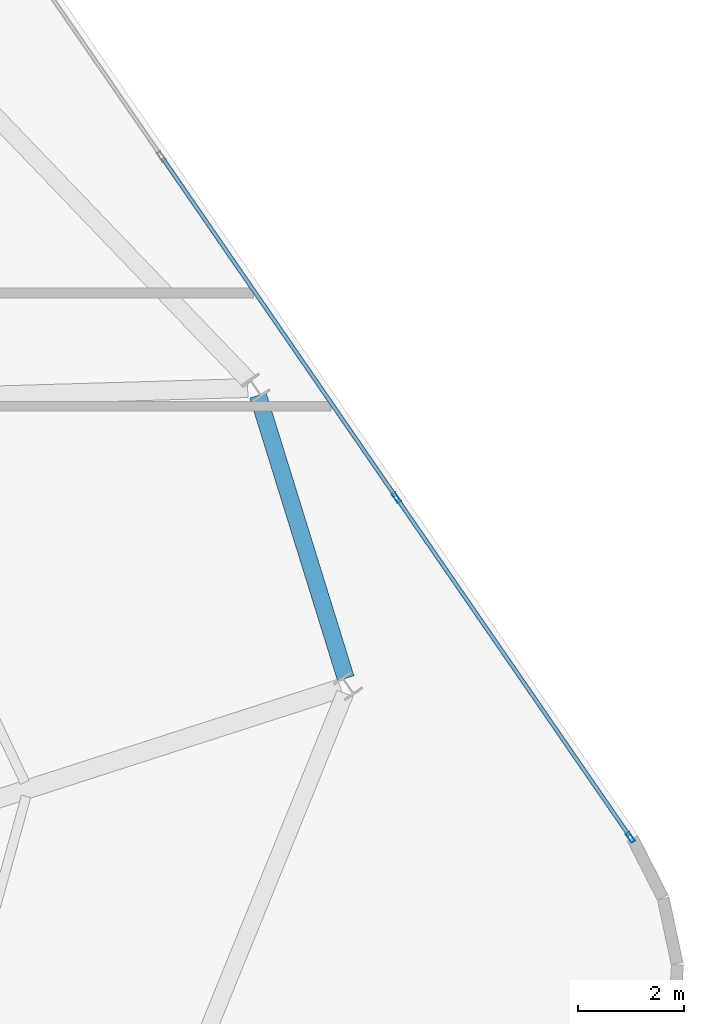
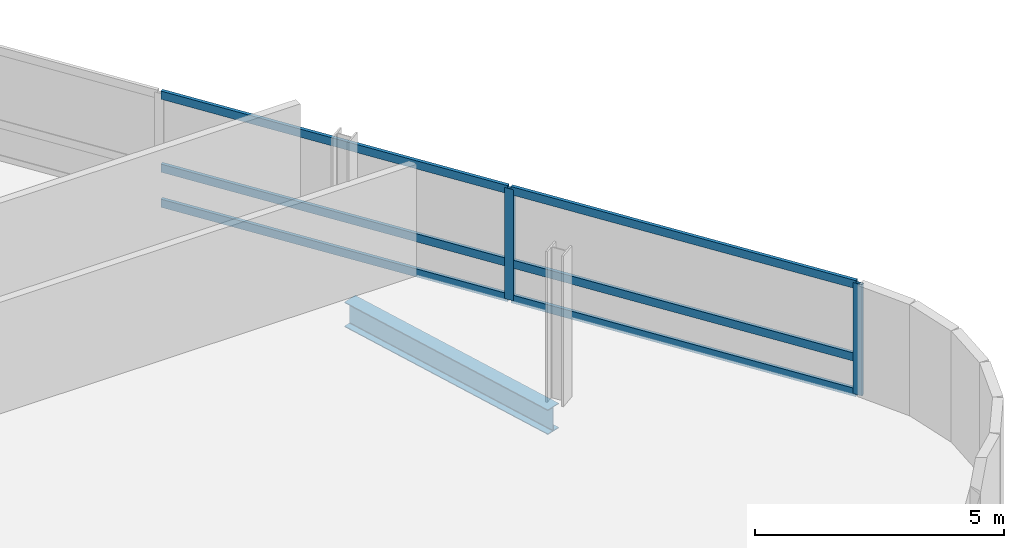
# One storey, part 11 of 22: 8 members, 1 beam, 1 element without a shape of its own.
"""IFC4 building model written with IfcOpenShell, lengths in metres."""

import ifcopenshell
import ifcopenshell.guid

model = None  # the IFC model being written
_history = None  # IfcOwnerHistory: only IFC2X3 demands one
_inside = {}  # id of a spatial element -> (the spatial element, [elements in it])
_under = {}  # id of a project, library or spatial element -> (it, [spatial elements below it])
_declared = {}  # id of a project -> (the project, [libraries it declares])
_typed = {}  # id of a type object -> (the type object, [elements of that type])
_made_of = {}  # id of a material, layer set ... -> (it, [elements and type objects made of it])


def new_model(schema):
    """Start an empty IFC model of exactly this schema.

    Asked for "IFC4X3", IfcOpenShell would pick the latest addendum, in which some entities
    have other attributes; the version numbers below select the first issue.
    IFC2X3 requires an IfcOwnerHistory on every rooted entity: one is made here for all.
    """
    global model, _history
    if schema == "IFC4X3":
        model = ifcopenshell.file(schema_version=(4, 3, 0, 0))
    else:
        model = ifcopenshell.file(schema=schema)
    _inside.clear()
    _under.clear()
    _declared.clear()
    _typed.clear()
    _made_of.clear()
    _history = None
    if model.schema == "IFC2X3":
        org = make("IfcOrganization", Name="unknown")
        user = make(
            "IfcPersonAndOrganization",
            ThePerson=make("IfcPerson", FamilyName="unknown"),
            TheOrganization=org,
        )
        app = make(
            "IfcApplication",
            ApplicationDeveloper=org,
            Version="unknown",
            ApplicationFullName="unknown",
            ApplicationIdentifier="unknown",
        )
        _history = make(
            "IfcOwnerHistory",
            OwningUser=user,
            OwningApplication=app,
            ChangeAction="ADDED",
            CreationDate=0,
        )
    return model


def make(cls, **values):
    """One entity of the class cls with the attributes given. An attribute that is None is left unset."""
    return model.create_entity(
        cls, **{name: value for name, value in values.items() if value is not None}
    )


def rooted(cls, **values):
    """An entity with a GlobalId (a new one), such as an element, a storey or a relation."""
    return make(cls, GlobalId=ifcopenshell.guid.new(), OwnerHistory=_history, **values)


def si_unit(unit_type, name, prefix=None):
    """IfcSIUnit, for example si_unit("LENGTHUNIT", "METRE", prefix="MILLI")."""
    return make("IfcSIUnit", UnitType=unit_type, Prefix=prefix, Name=name)


def assignment(units):
    """IfcUnitAssignment: the units of a project."""
    return None if units is None else make("IfcUnitAssignment", Units=units)


def point(xyz):
    """IfcCartesianPoint."""
    return None if xyz is None else make("IfcCartesianPoint", Coordinates=xyz)


def direction(xyz):
    """IfcDirection."""
    return None if xyz is None else make("IfcDirection", DirectionRatios=xyz)


def frame(location, z_axis=None, x_axis=None):
    """IfcAxis2Placement3D, a coordinate frame: its origin and axes. An axis left out is left unset."""
    return make(
        "IfcAxis2Placement3D",
        Location=point(location),
        Axis=direction(z_axis),
        RefDirection=direction(x_axis),
    )


def frame_2d(location, x_axis=None):
    """IfcAxis2Placement2D, a coordinate frame in the plane: its origin and x axis."""
    return make(
        "IfcAxis2Placement2D", Location=point(location), RefDirection=direction(x_axis)
    )


def origin():
    """The frame at (0, 0, 0) with its axes left unset."""
    return frame((0.0, 0.0, 0.0))


def origin_2d():
    """The frame at (0, 0) in the plane with its x axis left unset."""
    return frame_2d((0.0, 0.0))


def place(relative_to, where):
    """IfcLocalPlacement: puts the frame where relative to a parent placement (None: the world)."""
    return make(
        "IfcLocalPlacement", PlacementRelTo=relative_to, RelativePlacement=where
    )


def context(
    kind, dimensions, precision=None, world=None, true_north=None, identifier=None
):
    """IfcGeometricRepresentationContext, for example the 3D "Model" context."""
    return make(
        "IfcGeometricRepresentationContext",
        ContextIdentifier=identifier,
        ContextType=kind,
        CoordinateSpaceDimension=dimensions,
        Precision=precision,
        WorldCoordinateSystem=world,
        TrueNorth=true_north,
    )


def subcontext(parent, identifier, kind, view, scale=None):
    """IfcGeometricRepresentationSubContext, for example "Body" below "Model"."""
    return make(
        "IfcGeometricRepresentationSubContext",
        ContextIdentifier=identifier,
        ContextType=kind,
        ParentContext=parent,
        TargetScale=scale,
        TargetView=view,
    )


def project(units=None, contexts=None):
    """IfcProject with its units and contexts."""
    return rooted(
        "IfcProject",
        Name="project",
        RepresentationContexts=contexts,
        UnitsInContext=assignment(units),
    )


def spatial(cls, under=None, at=None, **own):
    """A site, building, storey or space (cls), placed at a placement, below another one or the project."""
    s = rooted(cls, ObjectPlacement=at, **own)
    if under is not None:
        _under.setdefault(under.id(), (under, []))[1].append(s)
    return s


def profile(cls, at=None, kind="AREA", **sizes):
    """A parametric profile (cls). Its sizes go by their IFC names, for example OverallWidth=200.0."""
    return make(cls, ProfileType=kind, Position=at, **sizes)


def hollow_rectangle(**sizes):
    """IfcRectangleHollowProfileDef."""
    return profile("IfcRectangleHollowProfileDef", **sizes)


def i_section(**sizes):
    """IfcIShapeProfileDef."""
    return profile("IfcIShapeProfileDef", **sizes)


def extrude(swept, where, along, depth):
    """IfcExtrudedAreaSolid: the profile swept, set in the frame where, extruded along a direction by depth."""
    return make(
        "IfcExtrudedAreaSolid",
        SweptArea=swept,
        Position=where,
        ExtrudedDirection=direction(along),
        Depth=depth,
    )


def shape(context_of_items, identifier, shape_type, items):
    """IfcShapeRepresentation: the items that make up one representation, for example the "Body"."""
    return make(
        "IfcShapeRepresentation",
        ContextOfItems=context_of_items,
        RepresentationIdentifier=identifier,
        RepresentationType=shape_type,
        Items=items,
    )


def material(Name=None, Category=None):
    """IfcMaterial."""
    return make("IfcMaterial", Name=Name, Category=Category)


def layer(
    of_material, thickness, ventilated=None, Name=None, Category=None, Priority=None
):
    """IfcMaterialLayer: one layer of a wall or slab, of a material (None: an air gap)."""
    return make(
        "IfcMaterialLayer",
        Material=of_material,
        LayerThickness=thickness,
        IsVentilated=ventilated,
        Name=Name,
        Category=Category,
        Priority=Priority,
    )


def layer_set(layers, Name=None):
    """IfcMaterialLayerSet."""
    return make("IfcMaterialLayerSet", MaterialLayers=layers, LayerSetName=Name)


def material_profile(
    of_material, cross_section, Name=None, Category=None, Priority=None
):
    """IfcMaterialProfile: a cross section and its material."""
    return make(
        "IfcMaterialProfile",
        Name=Name,
        Material=of_material,
        Profile=cross_section,
        Priority=Priority,
        Category=Category,
    )


def profile_set(profiles, Name=None, composite=None):
    """IfcMaterialProfileSet."""
    return make(
        "IfcMaterialProfileSet",
        Name=Name,
        MaterialProfiles=profiles,
        CompositeProfile=composite,
    )


def made_of(thing, what):
    """Note that an element or type object is made of a material, layer set ...; save() writes the relation."""
    if what is not None:
        _made_of.setdefault(what.id(), (what, []))[1].append(thing)
    return thing


def type_object(cls, material=None, **own):
    """A type object (cls), such as IfcWallType, which elements share."""
    return made_of(rooted(cls, **own), material)


def element(
    cls,
    number,
    at=None,
    inside=None,
    cuts=None,
    type_object=None,
    material=None,
    context=None,
    identifier="Body",
    shape_type=None,
    held_by="IfcProductDefinitionShape",
    body=None,
    shapes=None,
    **own,
):
    """One element of the class cls, such as IfcWall. Its Tag is "e" and its number.

    at: its placement. inside: the storey or other place that contains it. cuts: it is an
    opening in that element (IfcRelVoidsElement). A single representation is given by context,
    identifier, shape_type and body (its items); several are given by shapes. held_by: the class
    of the entity that holds the representations. save() writes the other relations.
    """
    e = rooted(cls, Tag="e%d" % number, ObjectPlacement=at, **own)
    if body is not None:
        shapes = [shape(context, identifier, shape_type, body)]
    if shapes is not None:
        e.Representation = make(held_by, Representations=shapes)
    if inside is not None:
        _inside.setdefault(inside.id(), (inside, []))[1].append(e)
    if cuts is not None:
        rooted(
            "IfcRelVoidsElement", RelatingBuildingElement=cuts, RelatedOpeningElement=e
        )
    if type_object is not None:
        _typed.setdefault(type_object.id(), (type_object, []))[1].append(e)
    return made_of(e, material)


def aggregate(whole, parts):
    """IfcRelAggregates: a whole, such as a stair, and the parts it consists of."""
    return rooted("IfcRelAggregates", RelatingObject=whole, RelatedObjects=parts)


def save(model, path):
    """Write the relations noted so far, then the file.

    IfcRelAggregates (storeys below a building ...), IfcRelContainedInSpatialStructure (elements
    in a storey), IfcRelDefinesByType, IfcRelAssociatesMaterial and IfcRelDeclares: one each for
    every whole, place, type object, material and project.
    """
    for whole, parts in _under.values():
        aggregate(whole, parts)
    for where, things in _inside.values():
        rooted(
            "IfcRelContainedInSpatialStructure",
            RelatedElements=things,
            RelatingStructure=where,
        )
    for kind, things in _typed.values():
        rooted("IfcRelDefinesByType", RelatedObjects=things, RelatingType=kind)
    for what, things in _made_of.values():
        rooted("IfcRelAssociatesMaterial", RelatedObjects=things, RelatingMaterial=what)
    for by, libraries in _declared.values():
        rooted("IfcRelDeclares", RelatingContext=by, RelatedDefinitions=libraries)
    model.write(path)


model = new_model("IFC4")

# Units and contexts
model_context = context("Model", 3, precision=1e-05, world=origin(), true_north=direction((0.0, 1.0)))
body_context = subcontext(model_context, "Body", "Model", "MODEL_VIEW")
ifc_project = project(units=[si_unit("LENGTHUNIT", "METRE"), si_unit("AREAUNIT", "SQUARE_METRE"), si_unit("VOLUMEUNIT", "CUBIC_METRE"), si_unit("PLANEANGLEUNIT", "RADIAN"), si_unit("MASSUNIT", "GRAM", prefix="KILO")], contexts=[model_context])

# Site, building, storey
site_placement = place(None, origin())
site = spatial("IfcSite", under=ifc_project, at=site_placement, CompositionType="ELEMENT")
building_placement = place(site_placement, origin())
building = spatial("IfcBuilding", under=site, at=building_placement, Name="Varnelok Gate Tower", CompositionType="ELEMENT")
storey_placement = place(building_placement, frame((0.0, 0.0, 280.39990234375)))
storey = spatial("IfcBuildingStorey", under=building, at=storey_placement, Name="L72", CompositionType="ELEMENT", Elevation=280.39990234375)

# Beam
ifc_material_1 = material(Name="Structural Steel ASTM A992 Grade 50", Category="steel")
ifc_material_profile_1 = material_profile(ifc_material_1, i_section(OverallWidth=0.323974609375, OverallDepth=0.611083984375, WebThickness=0.0126953125, FlangeThickness=0.01904296875, FilletRadius=0.01806640625, at=origin_2d()), Name="W24X104")
ifc_profile_set_1 = profile_set([ifc_material_profile_1], Name="Structural Steel ASTM A992 Grade 50")
beam_type = type_object("IfcBeamType", Name="BM-SPN-W24X104", PredefinedType="SPANDREL", material=ifc_profile_set_1)
beam_placement = place(storey_placement, frame((69.8125, 34.1748046875, -0.555419921875), z_axis=(-0.296340003452, 0.955082510757, 0.0), x_axis=(-0.955082510757, -0.296340003452, 0.0)))
element("IfcBeam", 1, at=beam_placement, inside=storey, type_object=beam_type, Name="L72 Perimeter Spandrel Beam 6", PredefinedType="SPANDREL", context=body_context, shape_type="SweptSolid", body=[
    extrude(i_section(OverallWidth=0.323974609375, OverallDepth=0.611083984375, WebThickness=0.0126953125, FlangeThickness=0.01904296875, FilletRadius=0.01806640625, at=origin_2d()), origin(), (0.0, 0.0, 1.0), 5.57666015625),
])

# Curtain wall, members
ifc_material_2 = material(Name="Anodized Aluminum Alloy 6063-T6", Category="aluminium")
ifc_layer = layer(ifc_material_2, 0.179931640625)
ifc_layer_set = layer_set([ifc_layer], Name="Anodized Aluminum Alloy 6063-T6")
curtain_wall_type = type_object("IfcCurtainWallType", Name="CW4-RESIDENCE-VISION", PredefinedType="USERDEFINED", material=ifc_layer_set)
curtain_wall_placement = place(storey_placement, origin())
curtain_wall = element("IfcCurtainWall", 2, at=curtain_wall_placement, inside=storey, type_object=curtain_wall_type, Name="L72 East End Vision Curtain Wall", ObjectType="UNITISED CURTAIN WALL", PredefinedType="USERDEFINED")
ifc_material_profile_2 = material_profile(ifc_material_2, hollow_rectangle(XDim=0.074951171875, YDim=0.199951171875, WallThickness=0.00390625, at=origin_2d()), Name="ALU200X75X4")
ifc_profile_set_2 = profile_set([ifc_material_profile_2], Name="Anodized Aluminum Alloy 6063-T6")
member_type_1 = type_object("IfcMemberType", Name="CW-MULL-200", PredefinedType="MULLION", material=ifc_profile_set_2)
member_1_placement = place(storey_placement, frame((70.768310546875, 37.57373046875, 0.0), z_axis=(0.0, 0.0, 1.0), x_axis=(0.823532290241, 0.567269395376, 0.0)))
member_1 = element("IfcMember", 3, at=member_1_placement, type_object=member_type_1, Name="CW4 mullion 4", PredefinedType="MULLION", context=body_context, shape_type="SweptSolid", body=[
    extrude(hollow_rectangle(XDim=0.074951171875, YDim=0.199951171875, WallThickness=0.00390625, at=origin_2d()), origin(), (0.0, 0.0, 1.0), 2.72998046875),
])
member_2_placement = place(storey_placement, frame((75.171630859375, 31.180908203125, 0.0), z_axis=(0.0, 0.0, 1.0), x_axis=(0.823532290241, 0.567269395376, 0.0)))
member_2 = element("IfcMember", 4, at=member_2_placement, type_object=member_type_1, Name="CW4 mullion 5", PredefinedType="MULLION", context=body_context, shape_type="SweptSolid", body=[
    extrude(hollow_rectangle(XDim=0.074951171875, YDim=0.199951171875, WallThickness=0.00390625, at=origin_2d()), origin(), (0.0, 0.0, 1.0), 2.72998046875),
])
ifc_material_profile_3 = material_profile(ifc_material_2, hollow_rectangle(XDim=0.074951171875, YDim=0.199951171875, WallThickness=0.00390625, at=origin_2d()), Name="ALU200X75X4")
ifc_profile_set_3 = profile_set([ifc_material_profile_3], Name="Anodized Aluminum Alloy 6063-T6")
member_type_2 = type_object("IfcMemberType", Name="CW-TRAN-200", PredefinedType="USERDEFINED", material=ifc_profile_set_3)
member_3_placement = place(storey_placement, frame((66.364990234375, 43.96630859375, 0.03759765625), z_axis=(0.567260941086, -0.823538113701, 0.0), x_axis=(0.823538113701, 0.567260941086, 0.0)))
member_3 = element("IfcMember", 5, at=member_3_placement, type_object=member_type_2, Name="CW4 transom 3.1", ObjectType="TRANSOM", PredefinedType="USERDEFINED", context=body_context, shape_type="SweptSolid", body=[
    extrude(hollow_rectangle(XDim=0.074951171875, YDim=0.199951171875, WallThickness=0.00390625, at=origin_2d()), origin(), (0.0, 0.0, 1.0), 7.72509765625),
])
member_4_placement = place(storey_placement, frame((66.364990234375, 43.96630859375, 0.900146484375), z_axis=(0.567260941086, -0.823538113701, 0.0), x_axis=(0.823538113701, 0.567260941086, 0.0)))
member_4 = element("IfcMember", 6, at=member_4_placement, type_object=member_type_2, Name="CW4 transom 3.2", ObjectType="TRANSOM", PredefinedType="USERDEFINED", context=body_context, shape_type="SweptSolid", body=[
    extrude(hollow_rectangle(XDim=0.074951171875, YDim=0.199951171875, WallThickness=0.00390625, at=origin_2d()), origin(), (0.0, 0.0, 1.0), 7.72509765625),
])
member_5_placement = place(storey_placement, frame((66.364990234375, 43.96630859375, 2.692626953125), z_axis=(0.567260941086, -0.823538113701, 0.0), x_axis=(0.823538113701, 0.567260941086, 0.0)))
member_5 = element("IfcMember", 7, at=member_5_placement, type_object=member_type_2, Name="CW4 transom 3.3", ObjectType="TRANSOM", PredefinedType="USERDEFINED", context=body_context, shape_type="SweptSolid", body=[
    extrude(hollow_rectangle(XDim=0.074951171875, YDim=0.199951171875, WallThickness=0.00390625, at=origin_2d()), origin(), (0.0, 0.0, 1.0), 7.72509765625),
])
member_6_placement = place(storey_placement, frame((70.78955078125, 37.542724609375, 0.03759765625), z_axis=(0.567271254331, -0.823531009744, 0.0), x_axis=(0.823531009744, 0.567271254331, 0.0)))
member_6 = element("IfcMember", 8, at=member_6_placement, type_object=member_type_2, Name="CW4 transom 4.1", ObjectType="TRANSOM", PredefinedType="USERDEFINED", context=body_context, shape_type="SweptSolid", body=[
    extrude(hollow_rectangle(XDim=0.074951171875, YDim=0.199951171875, WallThickness=0.00390625, at=origin_2d()), origin(), (0.0, 0.0, 1.0), 7.6875),
])
member_7_placement = place(storey_placement, frame((70.78955078125, 37.542724609375, 0.900146484375), z_axis=(0.567271254331, -0.823531009744, 0.0), x_axis=(0.823531009744, 0.567271254331, 0.0)))
member_7 = element("IfcMember", 9, at=member_7_placement, type_object=member_type_2, Name="CW4 transom 4.2", ObjectType="TRANSOM", PredefinedType="USERDEFINED", context=body_context, shape_type="SweptSolid", body=[
    extrude(hollow_rectangle(XDim=0.074951171875, YDim=0.199951171875, WallThickness=0.00390625, at=origin_2d()), origin(), (0.0, 0.0, 1.0), 7.6875),
])
member_8_placement = place(storey_placement, frame((70.78955078125, 37.542724609375, 2.692626953125), z_axis=(0.567271254331, -0.823531009744, 0.0), x_axis=(0.823531009744, 0.567271254331, 0.0)))
member_8 = element("IfcMember", 10, at=member_8_placement, type_object=member_type_2, Name="CW4 transom 4.3", ObjectType="TRANSOM", PredefinedType="USERDEFINED", context=body_context, shape_type="SweptSolid", body=[
    extrude(hollow_rectangle(XDim=0.074951171875, YDim=0.199951171875, WallThickness=0.00390625, at=origin_2d()), origin(), (0.0, 0.0, 1.0), 7.6875),
])
aggregate(curtain_wall, [member_1, member_2, member_3, member_4, member_5, member_6, member_7, member_8])

save(model, "model.ifc")
